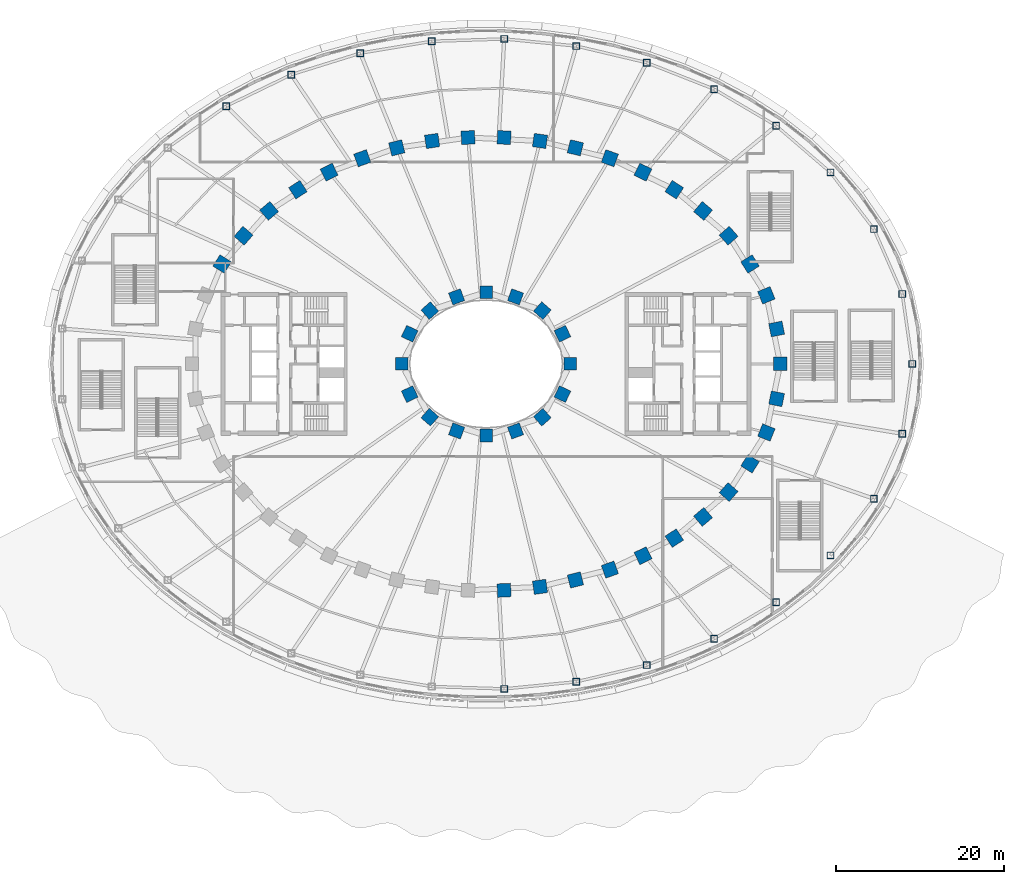
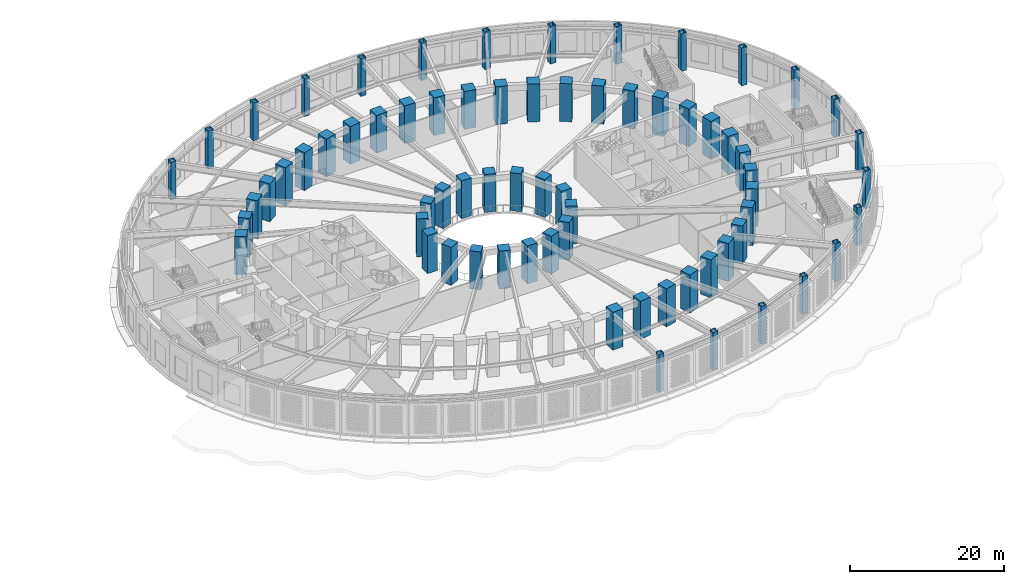
# One storey, part 5 of 74: 69 columns.
"""IFC4 building model written with IfcOpenShell, lengths in metres."""

from ifc_helpers import new_model, si_unit, direction, frame, origin, origin_2d, place, context, subcontext, project, spatial, rectangle, hollow_rectangle, extrude, material, material_profile, profile_set, type_object, element, save


model = new_model("IFC4")

# Units and contexts
model_context = context("Model", 3, precision=1e-05, world=origin(), true_north=direction((0.0, 1.0)))
body_context = subcontext(model_context, "Body", "Model", "MODEL_VIEW")
ifc_project = project(units=[si_unit("LENGTHUNIT", "METRE"), si_unit("AREAUNIT", "SQUARE_METRE"), si_unit("VOLUMEUNIT", "CUBIC_METRE"), si_unit("PLANEANGLEUNIT", "RADIAN"), si_unit("MASSUNIT", "GRAM", prefix="KILO")], contexts=[model_context])

# Site, building, storey
site_placement = place(None, origin())
site = spatial("IfcSite", under=ifc_project, at=site_placement, CompositionType="ELEMENT")
building_placement = place(site_placement, origin())
building = spatial("IfcBuilding", under=site, at=building_placement, Name="Noorbagh Ring Tower", CompositionType="ELEMENT")
storey_placement = place(building_placement, frame((0.0, 0.0, 7.5)))
storey = spatial("IfcBuildingStorey", under=building, at=storey_placement, Name="L01", CompositionType="ELEMENT", Elevation=7.5)

# Columns
ifc_material_1 = material(Name="Steel S355", Category="steel")
ifc_material_profile_1 = material_profile(ifc_material_1, hollow_rectangle(XDim=0.800048828125, YDim=0.800048828125, WallThickness=0.0400390625, at=origin_2d()), Name="BOX800x800x40")
ifc_profile_set_1 = profile_set([ifc_material_profile_1], Name="Steel S355")
column_type_1 = type_object("IfcColumnType", Name="GND-COL-BOX800x800x40", PredefinedType="COLUMN", material=ifc_profile_set_1)
for number, where, z_axis, x_axis, name in (
    (1, (50.646484375, 0.0, 0.0), (0.0, 0.0, 1.0), (1.0, 0.0, 0.0), "L01/col/RP-01"),
    (2, (49.4609375, 8.304443359375, 0.0), (0.0, 0.0, 1.0), (1.0, 0.0, 0.0), "L01/col/RP-02"),
    (3, (46.081298828125, 16.021240234375, 0.0), (0.0, 0.0, 1.0), (1.0, 0.0, 0.0), "L01/col/RP-03"),
    (4, (40.927734375, 22.75, 0.0), (0.0, 0.0, 1.0), (1.0, 0.0, 0.0), "L01/col/RP-04"),
    (5, (34.46484375, 28.306884765625, 0.0), (0.0, 0.0, 1.0), (1.0, 0.0, 0.0), "L01/col/RP-05"),
    (6, (27.0869140625, 32.648193359375, 0.0), (0.0, 0.0, 1.0), (1.0, 0.0, 0.0), "L01/col/RP-06"),
    (7, (19.0966796875, 35.791748046875, 0.0), (0.0, 0.0, 1.0), (1.0, 0.0, 0.0), "L01/col/RP-07"),
    (8, (10.724609375, 37.771240234375, 0.0), (0.0, 0.0, 1.0), (1.0, 0.0, 0.0), "L01/col/RP-08"),
    (9, (2.154541015625, 38.6142578125, 0.0), (0.0, 0.0, 1.0), (1.0, 0.0, 0.0), "L01/col/RP-09"),
    (10, (-6.4541015625, 38.33349609375, 0.0), (0.0, 0.0, 1.0), (1.0, 0.0, 0.0), "L01/col/RP-10"),
    (11, (-14.946044921875, 36.925048828125, 0.0), (0.0, 0.0, 1.0), (1.0, 0.0, 0.0), "L01/col/RP-11"),
    (12, (-23.152587890625, 34.36767578125, 0.0), (0.0, 0.0, 1.0), (1.0, 0.0, 0.0), "L01/col/RP-12"),
    (13, (-30.869384765625, 30.629150390625, 0.0), (0.0, 0.0, 1.0), (1.0, 0.0, 0.0), "L01/col/RP-13"),
    (14, (2.154541015625, -38.6142578125, 0.0), (0.0, 0.0, 1.0), (1.0, 0.0, 0.0), "L01/col/RP-26"),
    (15, (10.724609375, -37.771240234375, 0.0), (0.0, 0.0, 1.0), (1.0, 0.0, 0.0), "L01/col/RP-27"),
    (16, (19.0966796875, -35.791748046875, 0.0), (0.0, 0.0, 1.0), (1.0, 0.0, 0.0), "L01/col/RP-28"),
    (17, (27.0869140625, -32.648193359375, 0.0), (0.0, 0.0, 1.0), (1.0, 0.0, 0.0), "L01/col/RP-29"),
    (18, (34.46484375, -28.306884765625, 0.0), (0.0, 0.0, 1.0), (1.0, 0.0, 0.0), "L01/col/RP-30"),
    (19, (40.927734375, -22.75, 0.0), (0.0, 0.0, 1.0), (1.0, 0.0, 0.0), "L01/col/RP-31"),
    (20, (46.081298828125, -16.021240234375, 0.0), (0.0, 0.0, 1.0), (1.0, 0.0, 0.0), "L01/col/RP-32"),
    (21, (49.4609375, -8.304443359375, 0.0), (0.0, 0.0, 1.0), (1.0, 0.0, 0.0), "L01/col/RP-33"),
):
    element("IfcColumn", number, at=place(storey_placement, frame(where, z_axis=z_axis, x_axis=x_axis)), inside=storey, type_object=column_type_1, Name=name, PredefinedType="COLUMN", context=body_context, shape_type="SweptSolid", body=[
        extrude(hollow_rectangle(XDim=0.800048828125, YDim=0.800048828125, WallThickness=0.0400390625, at=origin_2d()), origin(), (0.0, 0.0, 1.0), 6.0),
    ])
ifc_material_2 = material(Name="Concrete C70/85", Category="concrete")
ifc_material_profile_2 = material_profile(ifc_material_2, rectangle(XDim=1.60009765625, YDim=1.60009765625, at=origin_2d()), Name="RC1600x1600")
ifc_profile_set_2 = profile_set([ifc_material_profile_2], Name="Concrete C70/85")
column_type_2 = type_object("IfcColumnType", Name="STR-COL-RC1600x1600-C70-85", PredefinedType="COLUMN", material=ifc_profile_set_2)
for number, where, z_axis, x_axis, name in (
    (22, (34.944580078125, 0.0, 0.0), (0.0, 0.0, 1.0), (0.0, 1.0, 0.0), "L01/col/R1-01"),
    (23, (34.52685546875, 4.150634765625, 0.0), (0.0, 0.0, 1.0), (-0.19723040178, 0.9803571638, 0.0), "L01/col/R1-02"),
    (24, (33.30517578125, 8.1494140625, 0.0), (0.0, 0.0, 1.0), (-0.378989499959, 0.925400971969, 0.0), "L01/col/R1-03"),
    (25, (31.364990234375, 11.87109375, 0.0), (0.0, 0.0, 1.0), (-0.535190403059, 0.844731455833, 0.0), "L01/col/R1-04"),
    (26, (28.81884765625, 15.23046875, 0.0), (0.0, 0.0, 1.0), (-0.662635642662, 0.748941923699, 0.0), "L01/col/R1-05"),
    (27, (25.78271484375, 18.180419921875, 0.0), (0.0, 0.0, 1.0), (-0.763035199656, 0.646356932419, 0.0), "L01/col/R1-06"),
    (28, (22.362060546875, 20.699951171875, 0.0), (0.0, 0.0, 1.0), (-0.840247639643, 0.542202825586, 0.0), "L01/col/R1-07"),
    (29, (18.646240234375, 22.785400390625, 0.0), (0.0, 0.0, 1.0), (-0.898399080868, 0.439180021741, 0.0), "L01/col/R1-08"),
    (30, (14.70947265625, 24.44091796875, 0.0), (0.0, 0.0, 1.0), (-0.941024726094, 0.338337797003, 0.0), "L01/col/R1-09"),
    (31, (10.61328125, 25.673583984375, 0.0), (0.0, 0.0, 1.0), (-0.970829360981, 0.239771457553, 0.0), "L01/col/R1-10"),
    (32, (6.4091796875, 26.49072265625, 0.0), (0.0, 0.0, 1.0), (-0.989713114048, 0.143066249975, 0.0), "L01/col/R1-11"),
    (33, (2.14306640625, 26.89794921875, 0.0), (0.0, 0.0, 1.0), (-0.998868731212, 0.047552684538, 0.0), "L01/col/R1-12"),
    (34, (-2.14306640625, 26.89794921875, 0.0), (0.0, 0.0, 1.0), (-0.998868731212, -0.047552684538, 0.0), "L01/col/R1-13"),
    (35, (-6.4091796875, 26.49072265625, 0.0), (0.0, 0.0, 1.0), (-0.989713114048, -0.143066249975, 0.0), "L01/col/R1-14"),
    (36, (-10.61328125, 25.673583984375, 0.0), (0.0, 0.0, 1.0), (-0.970829360981, -0.239771457553, 0.0), "L01/col/R1-15"),
    (37, (-14.70947265625, 24.44091796875, 0.0), (0.0, 0.0, 1.0), (-0.941024726094, -0.338337797003, 0.0), "L01/col/R1-16"),
    (38, (-18.646240234375, 22.785400390625, 0.0), (0.0, 0.0, 1.0), (-0.898399080868, -0.439180021741, 0.0), "L01/col/R1-17"),
    (39, (-22.362060546875, 20.699951171875, 0.0), (0.0, 0.0, 1.0), (-0.840247639643, -0.542202825586, 0.0), "L01/col/R1-18"),
    (40, (-25.78271484375, 18.180419921875, 0.0), (0.0, 0.0, 1.0), (-0.763035199656, -0.646356932419, 0.0), "L01/col/R1-19"),
    (41, (-28.81884765625, 15.23046875, 0.0), (0.0, 0.0, 1.0), (-0.662635642662, -0.748941923699, 0.0), "L01/col/R1-20"),
    (42, (-31.364990234375, 11.87109375, 0.0), (0.0, 0.0, 1.0), (-0.535190403059, -0.844731455833, 0.0), "L01/col/R1-21"),
    (43, (2.14306640625, -26.89794921875, 0.0), (0.0, 0.0, 1.0), (0.998868731212, 0.047552684538, 0.0), "L01/col/R1-36"),
    (44, (6.4091796875, -26.49072265625, 0.0), (0.0, 0.0, 1.0), (0.989713114048, 0.143066249975, 0.0), "L01/col/R1-37"),
    (45, (10.61328125, -25.673583984375, 0.0), (0.0, 0.0, 1.0), (0.970829360981, 0.239771457553, 0.0), "L01/col/R1-38"),
    (46, (14.70947265625, -24.44091796875, 0.0), (0.0, 0.0, 1.0), (0.941024726094, 0.338337797003, 0.0), "L01/col/R1-39"),
    (47, (18.646240234375, -22.785400390625, 0.0), (0.0, 0.0, 1.0), (0.898399080868, 0.439180021741, 0.0), "L01/col/R1-40"),
    (48, (22.362060546875, -20.699951171875, 0.0), (0.0, 0.0, 1.0), (0.840247639643, 0.542202825586, 0.0), "L01/col/R1-41"),
    (49, (25.78271484375, -18.180419921875, 0.0), (0.0, 0.0, 1.0), (0.763035199656, 0.646356932419, 0.0), "L01/col/R1-42"),
    (50, (28.81884765625, -15.23046875, 0.0), (0.0, 0.0, 1.0), (0.662635642662, 0.748941923699, 0.0), "L01/col/R1-43"),
    (51, (31.364990234375, -11.87109375, 0.0), (0.0, 0.0, 1.0), (0.535190403059, 0.844731455833, 0.0), "L01/col/R1-44"),
    (52, (33.30517578125, -8.1494140625, 0.0), (0.0, 0.0, 1.0), (0.378989499959, 0.925400971969, 0.0), "L01/col/R1-45"),
    (53, (34.52685546875, -4.150634765625, 0.0), (0.0, 0.0, 1.0), (0.19723040178, 0.9803571638, 0.0), "L01/col/R1-46"),
):
    element("IfcColumn", number, at=place(storey_placement, frame(where, z_axis=z_axis, x_axis=x_axis)), inside=storey, type_object=column_type_2, Name=name, PredefinedType="COLUMN", context=body_context, shape_type="SweptSolid", body=[
        extrude(rectangle(XDim=1.60009765625, YDim=1.60009765625, at=origin_2d()), origin(), (0.0, 0.0, 1.0), 6.0),
    ])
ifc_material_3 = material(Name="Concrete C70/85", Category="concrete")
ifc_material_profile_3 = material_profile(ifc_material_3, rectangle(XDim=1.5, YDim=1.5, at=origin_2d()), Name="RC1500x1500")
ifc_profile_set_3 = profile_set([ifc_material_profile_3], Name="Concrete C70/85")
column_type_3 = type_object("IfcColumnType", Name="STR-ICOL-RC1500x1500-C70-85", PredefinedType="COLUMN", material=ifc_profile_set_3)
for number, where, z_axis, x_axis, name in (
    (54, (10.00830078125, 0.0, 0.0), (0.0, 0.0, 1.0), (0.0, 1.0, 0.0), "L01/col/IR2-W01"),
    (55, (9.07568359375, 3.58837890625, 0.0), (0.0, 0.0, 1.0), (-0.428666979171, 0.903462573087, 0.0), "L01/col/IR2-W03"),
    (56, (6.68212890625, 6.333740234375, 0.0), (0.0, 0.0, 1.0), (-0.75102249095, 0.660276622399, 0.0), "L01/col/IR2-W05"),
    (57, (3.5009765625, 7.967041015625, 0.0), (0.0, 0.0, 1.0), (-0.939019578916, 0.343863679984, 0.0), "L01/col/IR2-W07"),
    (58, (0.0, 8.5029296875, 0.0), (0.0, 0.0, 1.0), (-1.0, 0.0, 0.0), "L01/col/IR2-W09"),
    (59, (-3.5009765625, 7.967041015625, 0.0), (0.0, 0.0, 1.0), (-0.939019578916, -0.343863679984, 0.0), "L01/col/IR2-W11"),
    (60, (-6.68212890625, 6.333740234375, 0.0), (0.0, 0.0, 1.0), (-0.75102249095, -0.660276622399, 0.0), "L01/col/IR2-W13"),
    (61, (-9.07568359375, 3.58837890625, 0.0), (0.0, 0.0, 1.0), (-0.428666979171, -0.903462573087, 0.0), "L01/col/IR2-W15"),
    (62, (-10.00830078125, 0.0, 0.0), (0.0, 0.0, 1.0), (0.0, -1.0, 0.0), "L01/col/IR2-W17"),
    (63, (-9.07568359375, -3.58837890625, 0.0), (0.0, 0.0, 1.0), (0.428666979171, -0.903462573087, 0.0), "L01/col/IR2-W19"),
    (64, (-6.68212890625, -6.333740234375, 0.0), (0.0, 0.0, 1.0), (0.75102249095, -0.660276622399, 0.0), "L01/col/IR2-W21"),
    (65, (-3.5009765625, -7.967041015625, 0.0), (0.0, 0.0, 1.0), (0.939019578916, -0.343863679984, 0.0), "L01/col/IR2-W23"),
    (66, (0.0, -8.5029296875, 0.0), (0.0, 0.0, 1.0), (1.0, 0.0, 0.0), "L01/col/IR2-W25"),
    (67, (3.5009765625, -7.967041015625, 0.0), (0.0, 0.0, 1.0), (0.939019578916, 0.343863679984, 0.0), "L01/col/IR2-W27"),
    (68, (6.68212890625, -6.333740234375, 0.0), (0.0, 0.0, 1.0), (0.75102249095, 0.660276622399, 0.0), "L01/col/IR2-W29"),
    (69, (9.07568359375, -3.58837890625, 0.0), (0.0, 0.0, 1.0), (0.428666979171, 0.903462573087, 0.0), "L01/col/IR2-W31"),
):
    element("IfcColumn", number, at=place(storey_placement, frame(where, z_axis=z_axis, x_axis=x_axis)), inside=storey, type_object=column_type_3, Name=name, PredefinedType="COLUMN", context=body_context, shape_type="SweptSolid", body=[
        extrude(rectangle(XDim=1.5, YDim=1.5, at=origin_2d()), origin(), (0.0, 0.0, 1.0), 6.0),
    ])

save(model, "model.ifc")
